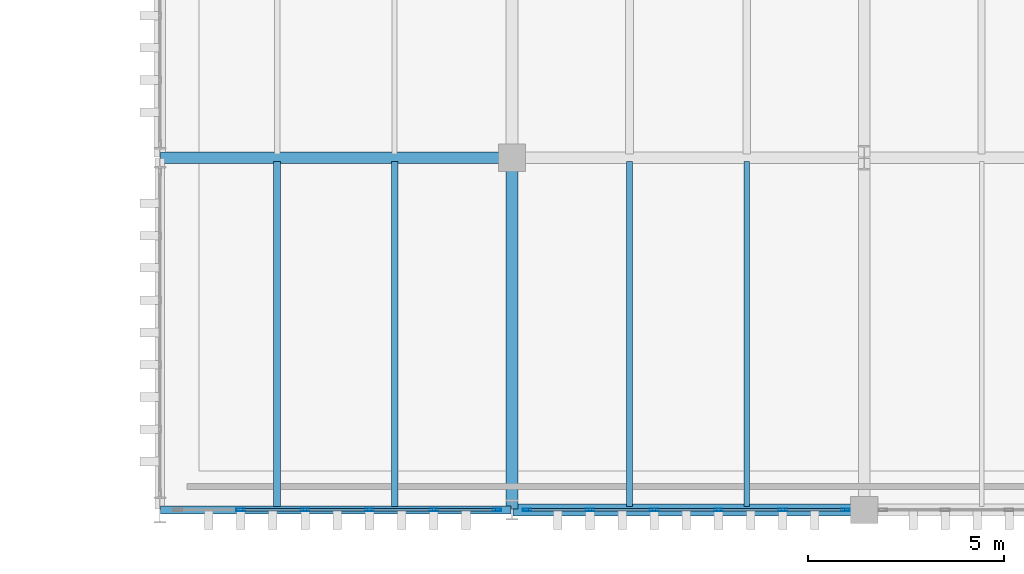
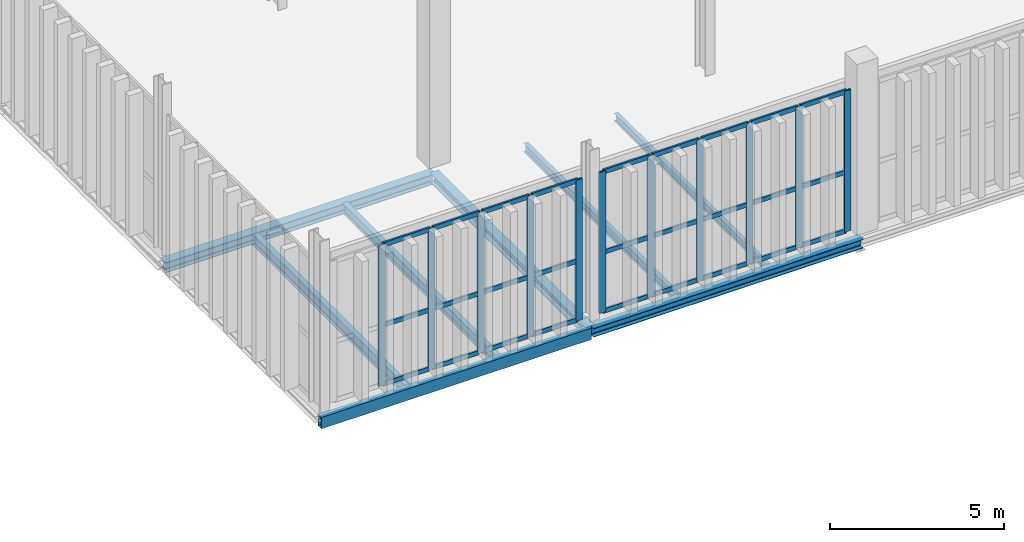
# One storey, part 85 of 211: 38 members, 8 beams, 2 elements without a shape of their own.
"""IFC4 building model written with IfcOpenShell, lengths in metres."""

from ifc_helpers import new_model, si_unit, direction, frame, origin, origin_2d, place, context, subcontext, project, spatial, hollow_rectangle, i_section, extrude, material, layer, layer_set, material_profile, profile_set, type_object, element, aggregate, save


model = new_model("IFC4")

# Units and contexts
model_context = context("Model", 3, precision=1e-05, world=origin(), true_north=direction((0.0, 1.0)))
body_context = subcontext(model_context, "Body", "Model", "MODEL_VIEW")
ifc_project = project(units=[si_unit("LENGTHUNIT", "METRE"), si_unit("AREAUNIT", "SQUARE_METRE"), si_unit("VOLUMEUNIT", "CUBIC_METRE"), si_unit("PLANEANGLEUNIT", "RADIAN"), si_unit("MASSUNIT", "GRAM", prefix="KILO")], contexts=[model_context])

# Site, building, storey
site_placement = place(None, origin())
site = spatial("IfcSite", under=ifc_project, at=site_placement, CompositionType="ELEMENT")
building_placement = place(site_placement, origin())
building = spatial("IfcBuilding", under=site, at=building_placement, Name="Barlavento Convention Centre", CompositionType="ELEMENT")
storey_placement = place(building_placement, frame((0.0, 0.0, 6.0)))
storey = spatial("IfcBuildingStorey", under=building, at=storey_placement, Name="L01", CompositionType="ELEMENT", Elevation=6.0)

# Curtain wall, members
ifc_material_1 = material(Name="Powder-coated aluminium and Low-E glass", Category="aluminium")
ifc_layer = layer(ifc_material_1, 0.18994140625)
ifc_layer_set = layer_set([ifc_layer], Name="ARC-CW-BALL-L01")
curtain_wall_type = type_object("IfcCurtainWallType", Name="ARC-CW-BALL-L01", PredefinedType="NOTDEFINED", material=ifc_layer_set)
curtain_wall_1_placement = place(storey_placement, origin())
curtain_wall_1 = element("IfcCurtainWall", 1, at=curtain_wall_1_placement, inside=storey, type_object=curtain_wall_type, Name="L01 unitised curtain wall CW06", PredefinedType="NOTDEFINED")
ifc_material_2 = material(Name="Powder-coated aluminium", Category="aluminium")
ifc_material_profile_1 = material_profile(ifc_material_2, hollow_rectangle(XDim=0.070068359375, YDim=0.219970703125, WallThickness=0.006103515625, at=origin_2d()), Name="AL-MULL 70x220x6")
ifc_profile_set_1 = profile_set([ifc_material_profile_1], Name="Powder-coated aluminium")
member_type_1 = type_object("IfcMemberType", Name="ARC-CWM-70X220", PredefinedType="MULLION", material=ifc_profile_set_1)
member_1_placement = place(storey_placement, frame((128.06884765625, 0.0, 0.0), z_axis=(0.0, 0.0, 1.0), x_axis=(0.0, 1.0, 0.0)))
member_1 = element("IfcMember", 2, at=member_1_placement, type_object=member_type_1, Name="CW06 mullion 2", PredefinedType="MULLION", context=body_context, shape_type="SweptSolid", body=[
    extrude(hollow_rectangle(XDim=0.070068359375, YDim=0.219970703125, WallThickness=0.006103515625, at=origin_2d()), origin(), (0.0, 0.0, 1.0), 4.949951171875),
])
member_2_placement = place(storey_placement, frame((129.713623046875, 0.0, 0.0), z_axis=(0.0, 0.0, 1.0), x_axis=(0.0, 1.0, 0.0)))
member_2 = element("IfcMember", 3, at=member_2_placement, type_object=member_type_1, Name="CW06 mullion 3", PredefinedType="MULLION", context=body_context, shape_type="SweptSolid", body=[
    extrude(hollow_rectangle(XDim=0.070068359375, YDim=0.219970703125, WallThickness=0.006103515625, at=origin_2d()), origin(), (0.0, 0.0, 1.0), 4.949951171875),
])
member_3_placement = place(storey_placement, frame((131.3583984375, 0.0, 0.0), z_axis=(0.0, 0.0, 1.0), x_axis=(0.0, 1.0, 0.0)))
member_3 = element("IfcMember", 4, at=member_3_placement, type_object=member_type_1, Name="CW06 mullion 4", PredefinedType="MULLION", context=body_context, shape_type="SweptSolid", body=[
    extrude(hollow_rectangle(XDim=0.070068359375, YDim=0.219970703125, WallThickness=0.006103515625, at=origin_2d()), origin(), (0.0, 0.0, 1.0), 4.949951171875),
])
member_4_placement = place(storey_placement, frame((133.003173828125, 0.0, 0.0), z_axis=(0.0, 0.0, 1.0), x_axis=(0.0, 1.0, 0.0)))
member_4 = element("IfcMember", 5, at=member_4_placement, type_object=member_type_1, Name="CW06 mullion 5", PredefinedType="MULLION", context=body_context, shape_type="SweptSolid", body=[
    extrude(hollow_rectangle(XDim=0.070068359375, YDim=0.219970703125, WallThickness=0.006103515625, at=origin_2d()), origin(), (0.0, 0.0, 1.0), 4.949951171875),
])
member_5_placement = place(storey_placement, frame((134.613037109375, 0.0, 0.0), z_axis=(0.0, 0.0, 1.0), x_axis=(0.0, 1.0, 0.0)))
member_5 = element("IfcMember", 6, at=member_5_placement, type_object=member_type_1, Name="CW06 mullion 6", PredefinedType="MULLION", context=body_context, shape_type="SweptSolid", body=[
    extrude(hollow_rectangle(XDim=0.070068359375, YDim=0.219970703125, WallThickness=0.006103515625, at=origin_2d()), origin(), (0.0, 0.0, 1.0), 4.949951171875),
])

curtain_wall_2_placement = place(storey_placement, origin())
curtain_wall_2 = element("IfcCurtainWall", 7, at=curtain_wall_2_placement, inside=storey, type_object=curtain_wall_type, Name="L01 unitised curtain wall CW06", PredefinedType="NOTDEFINED")
member_6_placement = place(storey_placement, frame((135.386962890625, 0.0, 0.0), z_axis=(0.0, 0.0, 1.0), x_axis=(0.0, 1.0, 0.0)))
member_6 = element("IfcMember", 8, at=member_6_placement, type_object=member_type_1, Name="CW06 mullion 1", PredefinedType="MULLION", context=body_context, shape_type="SweptSolid", body=[
    extrude(hollow_rectangle(XDim=0.070068359375, YDim=0.219970703125, WallThickness=0.006103515625, at=origin_2d()), origin(), (0.0, 0.0, 1.0), 4.949951171875),
])
member_7_placement = place(storey_placement, frame((136.99365234375, 0.0, 0.0), z_axis=(0.0, 0.0, 1.0), x_axis=(0.0, 1.0, 0.0)))
member_7 = element("IfcMember", 9, at=member_7_placement, type_object=member_type_1, Name="CW06 mullion 2", PredefinedType="MULLION", context=body_context, shape_type="SweptSolid", body=[
    extrude(hollow_rectangle(XDim=0.070068359375, YDim=0.219970703125, WallThickness=0.006103515625, at=origin_2d()), origin(), (0.0, 0.0, 1.0), 4.949951171875),
])
member_8_placement = place(storey_placement, frame((138.63525390625, 0.0, 0.0), z_axis=(0.0, 0.0, 1.0), x_axis=(0.0, 1.0, 0.0)))
member_8 = element("IfcMember", 10, at=member_8_placement, type_object=member_type_1, Name="CW06 mullion 3", PredefinedType="MULLION", context=body_context, shape_type="SweptSolid", body=[
    extrude(hollow_rectangle(XDim=0.070068359375, YDim=0.219970703125, WallThickness=0.006103515625, at=origin_2d()), origin(), (0.0, 0.0, 1.0), 4.949951171875),
])
member_9_placement = place(storey_placement, frame((140.27685546875, 0.0, 0.0), z_axis=(0.0, 0.0, 1.0), x_axis=(0.0, 1.0, 0.0)))
member_9 = element("IfcMember", 11, at=member_9_placement, type_object=member_type_1, Name="CW06 mullion 4", PredefinedType="MULLION", context=body_context, shape_type="SweptSolid", body=[
    extrude(hollow_rectangle(XDim=0.070068359375, YDim=0.219970703125, WallThickness=0.006103515625, at=origin_2d()), origin(), (0.0, 0.0, 1.0), 4.949951171875),
])
member_10_placement = place(storey_placement, frame((141.91845703125, 0.0, 0.0), z_axis=(0.0, 0.0, 1.0), x_axis=(0.0, 1.0, 0.0)))
member_10 = element("IfcMember", 12, at=member_10_placement, type_object=member_type_1, Name="CW06 mullion 5", PredefinedType="MULLION", context=body_context, shape_type="SweptSolid", body=[
    extrude(hollow_rectangle(XDim=0.070068359375, YDim=0.219970703125, WallThickness=0.006103515625, at=origin_2d()), origin(), (0.0, 0.0, 1.0), 4.949951171875),
])
member_11_placement = place(storey_placement, frame((143.52490234375, 0.0, 0.0), z_axis=(0.0, 0.0, 1.0), x_axis=(0.0, 1.0, 0.0)))
member_11 = element("IfcMember", 13, at=member_11_placement, type_object=member_type_1, Name="CW06 mullion 6", PredefinedType="MULLION", context=body_context, shape_type="SweptSolid", body=[
    extrude(hollow_rectangle(XDim=0.070068359375, YDim=0.219970703125, WallThickness=0.006103515625, at=origin_2d()), origin(), (0.0, 0.0, 1.0), 4.949951171875),
])

# Member
ifc_material_profile_2 = material_profile(ifc_material_2, hollow_rectangle(XDim=0.06494140625, YDim=0.159912109375, WallThickness=0.0048828125, at=origin_2d()), Name="AL-TRAN 65x160x5")
ifc_profile_set_2 = profile_set([ifc_material_profile_2], Name="Powder-coated aluminium")
member_type_2 = type_object("IfcMemberType", Name="ARC-CWT-65X160", PredefinedType="USERDEFINED", material=ifc_profile_set_2)
member_12_placement = place(storey_placement, frame((128.103759765625, 0.0, 0.032470703125), z_axis=(1.0, 0.0, 0.0), x_axis=(0.0, 1.0, 0.0)))
member_12 = element("IfcMember", 14, at=member_12_placement, type_object=member_type_2, Name="CW06 transom 2.1", ObjectType="TRANSOM", PredefinedType="USERDEFINED", context=body_context, shape_type="SweptSolid", body=[
    extrude(hollow_rectangle(XDim=0.06494140625, YDim=0.159912109375, WallThickness=0.0048828125, at=origin_2d()), origin(), (0.0, 0.0, 1.0), 1.574951171875),
])

member_13_placement = place(storey_placement, frame((128.103759765625, 0.0, 2.10009765625), z_axis=(1.0, 0.0, 0.0), x_axis=(0.0, 1.0, 0.0)))
member_13 = element("IfcMember", 15, at=member_13_placement, type_object=member_type_2, Name="CW06 transom 2.2", ObjectType="TRANSOM", PredefinedType="USERDEFINED", context=body_context, shape_type="SweptSolid", body=[
    extrude(hollow_rectangle(XDim=0.06494140625, YDim=0.159912109375, WallThickness=0.0048828125, at=origin_2d()), origin(), (0.0, 0.0, 1.0), 1.574951171875),
])

member_14_placement = place(storey_placement, frame((128.103759765625, 0.0, 4.91748046875), z_axis=(1.0, 0.0, 0.0), x_axis=(0.0, 1.0, 0.0)))
member_14 = element("IfcMember", 16, at=member_14_placement, type_object=member_type_2, Name="CW06 transom 2.3", ObjectType="TRANSOM", PredefinedType="USERDEFINED", context=body_context, shape_type="SweptSolid", body=[
    extrude(hollow_rectangle(XDim=0.06494140625, YDim=0.159912109375, WallThickness=0.0048828125, at=origin_2d()), origin(), (0.0, 0.0, 1.0), 1.574951171875),
])

member_15_placement = place(storey_placement, frame((129.74853515625, 0.0, 0.032470703125), z_axis=(1.0, 0.0, 0.0), x_axis=(0.0, 1.0, 0.0)))
member_15 = element("IfcMember", 17, at=member_15_placement, type_object=member_type_2, Name="CW06 transom 3.1", ObjectType="TRANSOM", PredefinedType="USERDEFINED", context=body_context, shape_type="SweptSolid", body=[
    extrude(hollow_rectangle(XDim=0.06494140625, YDim=0.159912109375, WallThickness=0.0048828125, at=origin_2d()), origin(), (0.0, 0.0, 1.0), 1.574951171875),
])

member_16_placement = place(storey_placement, frame((129.74853515625, 0.0, 2.10009765625), z_axis=(1.0, 0.0, 0.0), x_axis=(0.0, 1.0, 0.0)))
member_16 = element("IfcMember", 18, at=member_16_placement, type_object=member_type_2, Name="CW06 transom 3.2", ObjectType="TRANSOM", PredefinedType="USERDEFINED", context=body_context, shape_type="SweptSolid", body=[
    extrude(hollow_rectangle(XDim=0.06494140625, YDim=0.159912109375, WallThickness=0.0048828125, at=origin_2d()), origin(), (0.0, 0.0, 1.0), 1.574951171875),
])

member_17_placement = place(storey_placement, frame((129.74853515625, 0.0, 4.91748046875), z_axis=(1.0, 0.0, 0.0), x_axis=(0.0, 1.0, 0.0)))
member_17 = element("IfcMember", 19, at=member_17_placement, type_object=member_type_2, Name="CW06 transom 3.3", ObjectType="TRANSOM", PredefinedType="USERDEFINED", context=body_context, shape_type="SweptSolid", body=[
    extrude(hollow_rectangle(XDim=0.06494140625, YDim=0.159912109375, WallThickness=0.0048828125, at=origin_2d()), origin(), (0.0, 0.0, 1.0), 1.574951171875),
])

member_18_placement = place(storey_placement, frame((131.393310546875, 0.0, 0.032470703125), z_axis=(1.0, 0.0, 0.0), x_axis=(0.0, 1.0, 0.0)))
member_18 = element("IfcMember", 20, at=member_18_placement, type_object=member_type_2, Name="CW06 transom 4.1", ObjectType="TRANSOM", PredefinedType="USERDEFINED", context=body_context, shape_type="SweptSolid", body=[
    extrude(hollow_rectangle(XDim=0.06494140625, YDim=0.159912109375, WallThickness=0.0048828125, at=origin_2d()), origin(), (0.0, 0.0, 1.0), 1.574951171875),
])

member_19_placement = place(storey_placement, frame((131.393310546875, 0.0, 2.10009765625), z_axis=(1.0, 0.0, 0.0), x_axis=(0.0, 1.0, 0.0)))
member_19 = element("IfcMember", 21, at=member_19_placement, type_object=member_type_2, Name="CW06 transom 4.2", ObjectType="TRANSOM", PredefinedType="USERDEFINED", context=body_context, shape_type="SweptSolid", body=[
    extrude(hollow_rectangle(XDim=0.06494140625, YDim=0.159912109375, WallThickness=0.0048828125, at=origin_2d()), origin(), (0.0, 0.0, 1.0), 1.574951171875),
])

member_20_placement = place(storey_placement, frame((131.393310546875, 0.0, 4.91748046875), z_axis=(1.0, 0.0, 0.0), x_axis=(0.0, 1.0, 0.0)))
member_20 = element("IfcMember", 22, at=member_20_placement, type_object=member_type_2, Name="CW06 transom 4.3", ObjectType="TRANSOM", PredefinedType="USERDEFINED", context=body_context, shape_type="SweptSolid", body=[
    extrude(hollow_rectangle(XDim=0.06494140625, YDim=0.159912109375, WallThickness=0.0048828125, at=origin_2d()), origin(), (0.0, 0.0, 1.0), 1.574951171875),
])

member_21_placement = place(storey_placement, frame((133.0380859375, 0.0, 0.032470703125), z_axis=(1.0, 0.0, 0.0), x_axis=(0.0, 1.0, 0.0)))
member_21 = element("IfcMember", 23, at=member_21_placement, type_object=member_type_2, Name="CW06 transom 5.1", ObjectType="TRANSOM", PredefinedType="USERDEFINED", context=body_context, shape_type="SweptSolid", body=[
    extrude(hollow_rectangle(XDim=0.06494140625, YDim=0.159912109375, WallThickness=0.0048828125, at=origin_2d()), origin(), (0.0, 0.0, 1.0), 1.539794921875),
])

member_22_placement = place(storey_placement, frame((133.0380859375, 0.0, 2.10009765625), z_axis=(1.0, 0.0, 0.0), x_axis=(0.0, 1.0, 0.0)))
member_22 = element("IfcMember", 24, at=member_22_placement, type_object=member_type_2, Name="CW06 transom 5.2", ObjectType="TRANSOM", PredefinedType="USERDEFINED", context=body_context, shape_type="SweptSolid", body=[
    extrude(hollow_rectangle(XDim=0.06494140625, YDim=0.159912109375, WallThickness=0.0048828125, at=origin_2d()), origin(), (0.0, 0.0, 1.0), 1.539794921875),
])

member_23_placement = place(storey_placement, frame((133.0380859375, 0.0, 4.91748046875), z_axis=(1.0, 0.0, 0.0), x_axis=(0.0, 1.0, 0.0)))
member_23 = element("IfcMember", 25, at=member_23_placement, type_object=member_type_2, Name="CW06 transom 5.3", ObjectType="TRANSOM", PredefinedType="USERDEFINED", context=body_context, shape_type="SweptSolid", body=[
    extrude(hollow_rectangle(XDim=0.06494140625, YDim=0.159912109375, WallThickness=0.0048828125, at=origin_2d()), origin(), (0.0, 0.0, 1.0), 1.539794921875),
])

aggregate(curtain_wall_1, [member_1, member_2, member_3, member_4, member_5, member_12, member_13, member_14, member_15, member_16, member_17, member_18, member_19, member_20, member_21, member_22, member_23])

member_24_placement = place(storey_placement, frame((135.422119140625, 0.0, 0.032470703125), z_axis=(1.0, 0.0, 0.0), x_axis=(0.0, 1.0, 0.0)))
member_24 = element("IfcMember", 26, at=member_24_placement, type_object=member_type_2, Name="CW06 transom 1.1", ObjectType="TRANSOM", PredefinedType="USERDEFINED", context=body_context, shape_type="SweptSolid", body=[
    extrude(hollow_rectangle(XDim=0.06494140625, YDim=0.159912109375, WallThickness=0.0048828125, at=origin_2d()), origin(), (0.0, 0.0, 1.0), 1.536376953125),
])

member_25_placement = place(storey_placement, frame((135.422119140625, 0.0, 2.10009765625), z_axis=(1.0, 0.0, 0.0), x_axis=(0.0, 1.0, 0.0)))
member_25 = element("IfcMember", 27, at=member_25_placement, type_object=member_type_2, Name="CW06 transom 1.2", ObjectType="TRANSOM", PredefinedType="USERDEFINED", context=body_context, shape_type="SweptSolid", body=[
    extrude(hollow_rectangle(XDim=0.06494140625, YDim=0.159912109375, WallThickness=0.0048828125, at=origin_2d()), origin(), (0.0, 0.0, 1.0), 1.536376953125),
])

member_26_placement = place(storey_placement, frame((135.422119140625, 0.0, 4.91748046875), z_axis=(1.0, 0.0, 0.0), x_axis=(0.0, 1.0, 0.0)))
member_26 = element("IfcMember", 28, at=member_26_placement, type_object=member_type_2, Name="CW06 transom 1.3", ObjectType="TRANSOM", PredefinedType="USERDEFINED", context=body_context, shape_type="SweptSolid", body=[
    extrude(hollow_rectangle(XDim=0.06494140625, YDim=0.159912109375, WallThickness=0.0048828125, at=origin_2d()), origin(), (0.0, 0.0, 1.0), 1.536376953125),
])

member_27_placement = place(storey_placement, frame((137.028564453125, 0.0, 0.032470703125), z_axis=(1.0, 0.0, 0.0), x_axis=(0.0, 1.0, 0.0)))
member_27 = element("IfcMember", 29, at=member_27_placement, type_object=member_type_2, Name="CW06 transom 2.1", ObjectType="TRANSOM", PredefinedType="USERDEFINED", context=body_context, shape_type="SweptSolid", body=[
    extrude(hollow_rectangle(XDim=0.06494140625, YDim=0.159912109375, WallThickness=0.0048828125, at=origin_2d()), origin(), (0.0, 0.0, 1.0), 1.571533203125),
])

member_28_placement = place(storey_placement, frame((137.028564453125, 0.0, 2.10009765625), z_axis=(1.0, 0.0, 0.0), x_axis=(0.0, 1.0, 0.0)))
member_28 = element("IfcMember", 30, at=member_28_placement, type_object=member_type_2, Name="CW06 transom 2.2", ObjectType="TRANSOM", PredefinedType="USERDEFINED", context=body_context, shape_type="SweptSolid", body=[
    extrude(hollow_rectangle(XDim=0.06494140625, YDim=0.159912109375, WallThickness=0.0048828125, at=origin_2d()), origin(), (0.0, 0.0, 1.0), 1.571533203125),
])

member_29_placement = place(storey_placement, frame((137.028564453125, 0.0, 4.91748046875), z_axis=(1.0, 0.0, 0.0), x_axis=(0.0, 1.0, 0.0)))
member_29 = element("IfcMember", 31, at=member_29_placement, type_object=member_type_2, Name="CW06 transom 2.3", ObjectType="TRANSOM", PredefinedType="USERDEFINED", context=body_context, shape_type="SweptSolid", body=[
    extrude(hollow_rectangle(XDim=0.06494140625, YDim=0.159912109375, WallThickness=0.0048828125, at=origin_2d()), origin(), (0.0, 0.0, 1.0), 1.571533203125),
])

member_30_placement = place(storey_placement, frame((138.670166015625, 0.0, 0.032470703125), z_axis=(1.0, 0.0, 0.0), x_axis=(0.0, 1.0, 0.0)))
member_30 = element("IfcMember", 32, at=member_30_placement, type_object=member_type_2, Name="CW06 transom 3.1", ObjectType="TRANSOM", PredefinedType="USERDEFINED", context=body_context, shape_type="SweptSolid", body=[
    extrude(hollow_rectangle(XDim=0.06494140625, YDim=0.159912109375, WallThickness=0.0048828125, at=origin_2d()), origin(), (0.0, 0.0, 1.0), 1.571533203125),
])

member_31_placement = place(storey_placement, frame((138.670166015625, 0.0, 2.10009765625), z_axis=(1.0, 0.0, 0.0), x_axis=(0.0, 1.0, 0.0)))
member_31 = element("IfcMember", 33, at=member_31_placement, type_object=member_type_2, Name="CW06 transom 3.2", ObjectType="TRANSOM", PredefinedType="USERDEFINED", context=body_context, shape_type="SweptSolid", body=[
    extrude(hollow_rectangle(XDim=0.06494140625, YDim=0.159912109375, WallThickness=0.0048828125, at=origin_2d()), origin(), (0.0, 0.0, 1.0), 1.571533203125),
])

member_32_placement = place(storey_placement, frame((138.670166015625, 0.0, 4.91748046875), z_axis=(1.0, 0.0, 0.0), x_axis=(0.0, 1.0, 0.0)))
member_32 = element("IfcMember", 34, at=member_32_placement, type_object=member_type_2, Name="CW06 transom 3.3", ObjectType="TRANSOM", PredefinedType="USERDEFINED", context=body_context, shape_type="SweptSolid", body=[
    extrude(hollow_rectangle(XDim=0.06494140625, YDim=0.159912109375, WallThickness=0.0048828125, at=origin_2d()), origin(), (0.0, 0.0, 1.0), 1.571533203125),
])

member_33_placement = place(storey_placement, frame((140.311767578125, 0.0, 0.032470703125), z_axis=(1.0, 0.0, 0.0), x_axis=(0.0, 1.0, 0.0)))
member_33 = element("IfcMember", 35, at=member_33_placement, type_object=member_type_2, Name="CW06 transom 4.1", ObjectType="TRANSOM", PredefinedType="USERDEFINED", context=body_context, shape_type="SweptSolid", body=[
    extrude(hollow_rectangle(XDim=0.06494140625, YDim=0.159912109375, WallThickness=0.0048828125, at=origin_2d()), origin(), (0.0, 0.0, 1.0), 1.571533203125),
])

member_34_placement = place(storey_placement, frame((140.311767578125, 0.0, 2.10009765625), z_axis=(1.0, 0.0, 0.0), x_axis=(0.0, 1.0, 0.0)))
member_34 = element("IfcMember", 36, at=member_34_placement, type_object=member_type_2, Name="CW06 transom 4.2", ObjectType="TRANSOM", PredefinedType="USERDEFINED", context=body_context, shape_type="SweptSolid", body=[
    extrude(hollow_rectangle(XDim=0.06494140625, YDim=0.159912109375, WallThickness=0.0048828125, at=origin_2d()), origin(), (0.0, 0.0, 1.0), 1.571533203125),
])

member_35_placement = place(storey_placement, frame((140.311767578125, 0.0, 4.91748046875), z_axis=(1.0, 0.0, 0.0), x_axis=(0.0, 1.0, 0.0)))
member_35 = element("IfcMember", 37, at=member_35_placement, type_object=member_type_2, Name="CW06 transom 4.3", ObjectType="TRANSOM", PredefinedType="USERDEFINED", context=body_context, shape_type="SweptSolid", body=[
    extrude(hollow_rectangle(XDim=0.06494140625, YDim=0.159912109375, WallThickness=0.0048828125, at=origin_2d()), origin(), (0.0, 0.0, 1.0), 1.571533203125),
])

member_36_placement = place(storey_placement, frame((141.953369140625, 0.0, 0.032470703125), z_axis=(1.0, 0.0, 0.0), x_axis=(0.0, 1.0, 0.0)))
member_36 = element("IfcMember", 38, at=member_36_placement, type_object=member_type_2, Name="CW06 transom 5.1", ObjectType="TRANSOM", PredefinedType="USERDEFINED", context=body_context, shape_type="SweptSolid", body=[
    extrude(hollow_rectangle(XDim=0.06494140625, YDim=0.159912109375, WallThickness=0.0048828125, at=origin_2d()), origin(), (0.0, 0.0, 1.0), 1.53662109375),
])

member_37_placement = place(storey_placement, frame((141.953369140625, 0.0, 2.10009765625), z_axis=(1.0, 0.0, 0.0), x_axis=(0.0, 1.0, 0.0)))
member_37 = element("IfcMember", 39, at=member_37_placement, type_object=member_type_2, Name="CW06 transom 5.2", ObjectType="TRANSOM", PredefinedType="USERDEFINED", context=body_context, shape_type="SweptSolid", body=[
    extrude(hollow_rectangle(XDim=0.06494140625, YDim=0.159912109375, WallThickness=0.0048828125, at=origin_2d()), origin(), (0.0, 0.0, 1.0), 1.53662109375),
])

member_38_placement = place(storey_placement, frame((141.953369140625, 0.0, 4.91748046875), z_axis=(1.0, 0.0, 0.0), x_axis=(0.0, 1.0, 0.0)))
member_38 = element("IfcMember", 40, at=member_38_placement, type_object=member_type_2, Name="CW06 transom 5.3", ObjectType="TRANSOM", PredefinedType="USERDEFINED", context=body_context, shape_type="SweptSolid", body=[
    extrude(hollow_rectangle(XDim=0.06494140625, YDim=0.159912109375, WallThickness=0.0048828125, at=origin_2d()), origin(), (0.0, 0.0, 1.0), 1.53662109375),
])

aggregate(curtain_wall_2, [member_6, member_7, member_8, member_9, member_10, member_11, member_24, member_25, member_26, member_27, member_28, member_29, member_30, member_31, member_32, member_33, member_34, member_35, member_36, member_37, member_38])

# Beams
ifc_material_3 = material(Name="Steel S355", Category="steel")
ifc_material_profile_3 = material_profile(ifc_material_3, i_section(OverallWidth=0.135009765625, OverallDepth=0.27001953125, WebThickness=0.006591796875, FlangeThickness=0.01025390625, FilletRadius=0.014892578125, at=origin_2d()), Name="IPE 270")
ifc_profile_set_3 = profile_set([ifc_material_profile_3], Name="Steel S355")
beam_type_1 = type_object("IfcBeamType", Name="STR-BM-JST-IPE270", PredefinedType="JOIST", material=ifc_profile_set_3)
beam_1_placement = place(storey_placement, frame((141.0, 0.094970703125, -0.4951171875), z_axis=(0.0, 1.0, 0.0), x_axis=(-1.0, 0.0, 0.0)))
element("IfcBeam", 41, at=beam_1_placement, inside=storey, type_object=beam_type_1, Name="L01 composite floor joist SJ08", PredefinedType="JOIST", context=body_context, shape_type="SweptSolid", body=[
    extrude(i_section(OverallWidth=0.135009765625, OverallDepth=0.27001953125, WebThickness=0.006591796875, FlangeThickness=0.01025390625, FilletRadius=0.014892578125, at=origin_2d()), origin(), (0.0, 0.0, 1.0), 8.81005859375),
])
ifc_material_profile_4 = material_profile(ifc_material_3, i_section(OverallWidth=0.14990234375, OverallDepth=0.300048828125, WebThickness=0.007080078125, FlangeThickness=0.0107421875, FilletRadius=0.014892578125, at=origin_2d()), Name="IPE 300")
ifc_profile_set_4 = profile_set([ifc_material_profile_4], Name="Steel S355")
beam_type_2 = type_object("IfcBeamType", Name="STR-BM-JST-IPE300", PredefinedType="JOIST", material=ifc_profile_set_4)
beam_2_placement = place(storey_placement, frame((138.0, 0.094970703125, -0.510009765625), z_axis=(0.0, 1.0, 0.0), x_axis=(-1.0, 0.0, 0.0)))
element("IfcBeam", 42, at=beam_2_placement, inside=storey, type_object=beam_type_2, Name="L01 composite floor joist SJ07", PredefinedType="JOIST", context=body_context, shape_type="SweptSolid", body=[
    extrude(i_section(OverallWidth=0.14990234375, OverallDepth=0.300048828125, WebThickness=0.007080078125, FlangeThickness=0.0107421875, FilletRadius=0.014892578125, at=origin_2d()), origin(), (0.0, 0.0, 1.0), 8.81005859375),
])
ifc_material_profile_5 = material_profile(ifc_material_3, i_section(OverallWidth=0.169921875, OverallDepth=0.360107421875, WebThickness=0.008056640625, FlangeThickness=0.0126953125, FilletRadius=0.01806640625, at=origin_2d()), Name="IPE 360")
ifc_profile_set_5 = profile_set([ifc_material_profile_5], Name="Steel S355")
beam_type_3 = type_object("IfcBeamType", Name="STR-BM-JST-IPE360", PredefinedType="JOIST", material=ifc_profile_set_5)
beam_3_placement = place(storey_placement, frame((132.0, 0.094970703125, -0.5400390625), z_axis=(0.0, 1.0, 0.0), x_axis=(-1.0, 0.0, 0.0)))
element("IfcBeam", 43, at=beam_3_placement, inside=storey, type_object=beam_type_3, Name="L01 composite floor joist SJ05", PredefinedType="JOIST", context=body_context, shape_type="SweptSolid", body=[
    extrude(i_section(OverallWidth=0.169921875, OverallDepth=0.360107421875, WebThickness=0.008056640625, FlangeThickness=0.0126953125, FilletRadius=0.01806640625, at=origin_2d()), origin(), (0.0, 0.0, 1.0), 8.81005859375),
])
ifc_material_profile_6 = material_profile(ifc_material_3, i_section(OverallWidth=0.179931640625, OverallDepth=0.39990234375, WebThickness=0.008544921875, FlangeThickness=0.013427734375, FilletRadius=0.02099609375, at=origin_2d()), Name="IPE 400")
ifc_profile_set_6 = profile_set([ifc_material_profile_6], Name="Steel S355")
beam_type_4 = type_object("IfcBeamType", Name="STR-BM-JST-IPE400", PredefinedType="JOIST", material=ifc_profile_set_6)
beam_4_placement = place(storey_placement, frame((129.0, 0.094970703125, -0.56005859375), z_axis=(0.0, 1.0, 0.0), x_axis=(-1.0, 0.0, 0.0)))
element("IfcBeam", 44, at=beam_4_placement, inside=storey, type_object=beam_type_4, Name="L01 composite floor joist SJ04", PredefinedType="JOIST", context=body_context, shape_type="SweptSolid", body=[
    extrude(i_section(OverallWidth=0.179931640625, OverallDepth=0.39990234375, WebThickness=0.008544921875, FlangeThickness=0.013427734375, FilletRadius=0.02099609375, at=origin_2d()), origin(), (0.0, 0.0, 1.0), 8.81005859375),
])
ifc_material_profile_7 = material_profile(ifc_material_3, i_section(OverallWidth=0.300048828125, OverallDepth=0.330078125, WebThickness=0.009521484375, FlangeThickness=0.0166015625, FilletRadius=0.027099609375, at=origin_2d()), Name="HEA 340")
ifc_profile_set_7 = profile_set([ifc_material_profile_7], Name="Steel S355")
beam_type_5 = type_object("IfcBeamType", Name="STR-BM-PRI-HEA340", PredefinedType="BEAM", material=ifc_profile_set_7)
beam_5_placement = place(storey_placement, frame((135.0, 0.02001953125, -0.52490234375), z_axis=(0.0, 1.0, 0.0), x_axis=(-1.0, 0.0, 0.0)))
element("IfcBeam", 45, at=beam_5_placement, inside=storey, type_object=beam_type_5, Name="L01 grid girder BG24", PredefinedType="BEAM", context=body_context, shape_type="SweptSolid", body=[
    extrude(i_section(OverallWidth=0.300048828125, OverallDepth=0.330078125, WebThickness=0.009521484375, FlangeThickness=0.0166015625, FilletRadius=0.027099609375, at=origin_2d()), origin(), (0.0, 0.0, 1.0), 8.9599609375),
])
ifc_material_profile_8 = material_profile(ifc_material_3, i_section(OverallWidth=0.300048828125, OverallDepth=0.360107421875, WebThickness=0.012451171875, FlangeThickness=0.0224609375, FilletRadius=0.027099609375, at=origin_2d()), Name="HEB 360")
ifc_profile_set_8 = profile_set([ifc_material_profile_8], Name="Steel S355")
beam_type_6 = type_object("IfcBeamType", Name="STR-BM-PRI-HEB360", PredefinedType="BEAM", material=ifc_profile_set_8)
beam_6_placement = place(storey_placement, frame((126.02001953125, 9.0, -0.5400390625), z_axis=(1.0, 0.0, 0.0), x_axis=(0.0, 1.0, 0.0)))
element("IfcBeam", 46, at=beam_6_placement, inside=storey, type_object=beam_type_6, Name="L01 primary girder BG12", PredefinedType="BEAM", context=body_context, shape_type="SweptSolid", body=[
    extrude(i_section(OverallWidth=0.300048828125, OverallDepth=0.360107421875, WebThickness=0.012451171875, FlangeThickness=0.0224609375, FilletRadius=0.027099609375, at=origin_2d()), origin(), (0.0, 0.0, 1.0), 8.9599609375),
])
ifc_material_profile_9 = material_profile(ifc_material_3, i_section(OverallWidth=0.300048828125, OverallDepth=0.31005859375, WebThickness=0.009033203125, FlangeThickness=0.015380859375, FilletRadius=0.027099609375, at=origin_2d()), Name="HEA 320")
ifc_profile_set_9 = profile_set([ifc_material_profile_9], Name="Steel S355")
beam_type_7 = type_object("IfcBeamType", Name="STR-BM-SPN-HEA320", PredefinedType="SPANDREL", material=ifc_profile_set_9)
beam_7_placement = place(storey_placement, frame((135.02001953125, 0.0, -0.514892578125), z_axis=(1.0, 0.0, 0.0), x_axis=(0.0, 1.0, 0.0)))
element("IfcBeam", 47, at=beam_7_placement, inside=storey, type_object=beam_type_7, Name="L01 primary girder SP01", PredefinedType="SPANDREL", context=body_context, shape_type="SweptSolid", body=[
    extrude(i_section(OverallWidth=0.300048828125, OverallDepth=0.31005859375, WebThickness=0.009033203125, FlangeThickness=0.015380859375, FilletRadius=0.027099609375, at=origin_2d()), origin(), (0.0, 0.0, 1.0), 8.9599609375),
])
ifc_material_profile_10 = material_profile(ifc_material_3, hollow_rectangle(XDim=0.199951171875, YDim=0.39990234375, WallThickness=0.01611328125, at=origin_2d()), Name="RHS 400x200x16.0")
ifc_profile_set_10 = profile_set([ifc_material_profile_10], Name="Steel S355")
beam_type_8 = type_object("IfcBeamType", Name="STR-BM-SPN-RHS400", PredefinedType="SPANDREL", material=ifc_profile_set_10)
beam_8_placement = place(storey_placement, frame((126.02001953125, 0.0, -0.56005859375), z_axis=(1.0, 0.0, 0.0), x_axis=(0.0, 1.0, 0.0)))
element("IfcBeam", 48, at=beam_8_placement, inside=storey, type_object=beam_type_8, Name="L01 primary girder SP06", PredefinedType="SPANDREL", context=body_context, shape_type="SweptSolid", body=[
    extrude(hollow_rectangle(XDim=0.199951171875, YDim=0.39990234375, WallThickness=0.01611328125, at=origin_2d()), origin(), (0.0, 0.0, 1.0), 8.9599609375),
])

save(model, "model.ifc")
